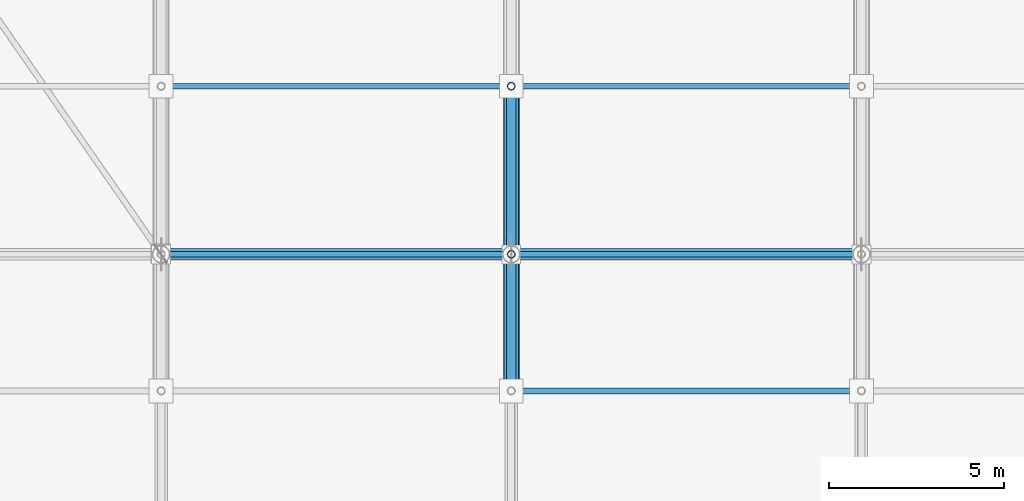
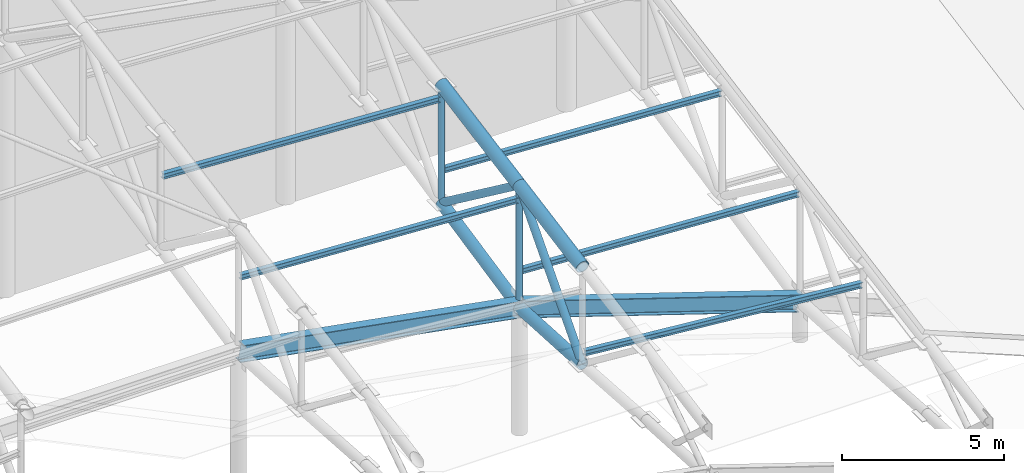
# One storey, part 58 of 146: 13 members, 2 beams.
"""IFC4 building model written with IfcOpenShell, lengths in metres."""

from ifc_helpers import new_model, si_unit, direction, frame, origin, origin_2d, place, context, subcontext, project, spatial, hollow_circle, i_section, extrude, material, material_profile, profile_set, type_object, element, save


model = new_model("IFC4")

# Units and contexts
model_context = context("Model", 3, precision=1e-05, world=origin(), true_north=direction((0.0, 1.0)))
body_context = subcontext(model_context, "Body", "Model", "MODEL_VIEW")
ifc_project = project(units=[si_unit("LENGTHUNIT", "METRE"), si_unit("AREAUNIT", "SQUARE_METRE"), si_unit("VOLUMEUNIT", "CUBIC_METRE"), si_unit("PLANEANGLEUNIT", "RADIAN"), si_unit("MASSUNIT", "GRAM", prefix="KILO")], contexts=[model_context])

# Site, building, storey
site_placement = place(None, origin())
site = spatial("IfcSite", under=ifc_project, at=site_placement, CompositionType="ELEMENT")
building_placement = place(site_placement, origin())
building = spatial("IfcBuilding", under=site, at=building_placement, Name="Candeia Ridge Stadium", CompositionType="ELEMENT")
storey_placement = place(building_placement, frame((0.0, 0.0, 31.800048828125)))
storey = spatial("IfcBuildingStorey", under=building, at=storey_placement, Name="RF", CompositionType="ELEMENT", Elevation=31.800048828125)

# Beams
ifc_material = material(Name="Steel ASTM A572 Grade 50", Category="steel")
ifc_material_profile_1 = material_profile(ifc_material, i_section(OverallWidth=0.324951171875, OverallDepth=0.615966796875, WebThickness=0.013916015625, FlangeThickness=0.021484375, FilletRadius=0.014892578125, at=origin_2d()), Name="W610x174", Category="steel")
ifc_profile_set_1 = profile_set([ifc_material_profile_1], Name="Steel ASTM A572 Grade 50")
beam_type = type_object("IfcBeamType", Name="Roof Compression Ring Beam W610x174", PredefinedType="BEAM", material=ifc_profile_set_1)
beam_1_placement = place(storey_placement, frame((130.9619140625, 132.60009765625, 1.427001953125), z_axis=(-0.950459193957, 0.0, 0.310849353583), x_axis=(0.0, -1.0, 0.0)))
element("IfcBeam", 1, at=beam_1_placement, inside=storey, type_object=beam_type, Name="Roof compression ring beam bay 02", PredefinedType="BEAM", context=body_context, shape_type="SweptSolid", body=[
    extrude(i_section(OverallWidth=0.324951171875, OverallDepth=0.615966796875, WebThickness=0.013916015625, FlangeThickness=0.021484375, FilletRadius=0.014892578125, at=origin_2d()), origin(), (0.0, 0.0, 1.0), 10.441162109375),
])
beam_2_placement = place(storey_placement, frame((120.960693359375, 132.60009765625, 4.6923828125), z_axis=(-0.983924099588, 0.0, 0.178587139095), x_axis=(0.0, -1.0, 0.0)))
element("IfcBeam", 2, at=beam_2_placement, inside=storey, type_object=beam_type, Name="Roof compression ring beam bay 03", PredefinedType="BEAM", context=body_context, shape_type="SweptSolid", body=[
    extrude(i_section(OverallWidth=0.324951171875, OverallDepth=0.615966796875, WebThickness=0.013916015625, FlangeThickness=0.021484375, FilletRadius=0.014892578125, at=origin_2d()), origin(), (0.0, 0.0, 1.0), 10.08349609375),
])

# Members
ifc_material_profile_2 = material_profile(ifc_material, i_section(OverallWidth=0.1650390625, OverallDepth=0.200927734375, WebThickness=0.006103515625, FlangeThickness=0.01025390625, FilletRadius=0.010009765625, at=origin_2d()), Name="W200x35.9", Category="steel")
ifc_profile_set_2 = profile_set([ifc_material_profile_2], Name="Steel ASTM A572 Grade 50")
member_type_1 = type_object("IfcMemberType", Name="Roof Purlin W200x35.9", PredefinedType="PURLIN", material=ifc_profile_set_2)
member_1_placement = place(storey_placement, frame((130.9501953125, 128.699951171875, 4.4375), z_axis=(-0.995975929729, 0.0, 0.08962113256), x_axis=(0.0, -1.0, 0.0)))
element("IfcMember", 3, at=member_1_placement, inside=storey, type_object=member_type_1, Name="Saddle roof steel purlin bay 02-1", PredefinedType="PURLIN", context=body_context, shape_type="SweptSolid", body=[
    extrude(i_section(OverallWidth=0.1650390625, OverallDepth=0.200927734375, WebThickness=0.006103515625, FlangeThickness=0.01025390625, FilletRadius=0.010009765625, at=origin_2d()), origin(), (0.0, 0.0, 1.0), 9.9404296875),
])
for number, where, z_axis, x_axis, name in (
    (4, (130.9501953125, 132.60009765625, 5.497314453125), (-0.998435557369, 0.0, 0.055914557871), (0.0, -1.0, 0.0), "Saddle roof steel purlin bay 02-2"),
    (5, (130.9501953125, 137.39990234375, 6.38525390625), (-0.998435557369, 0.0, 0.055914557871), (0.0, -1.0, 0.0), "Saddle roof steel purlin bay 02-3"),
):
    element("IfcMember", number, at=place(storey_placement, frame(where, z_axis=z_axis, x_axis=x_axis)), inside=storey, type_object=member_type_1, Name=name, PredefinedType="PURLIN", context=body_context, shape_type="SweptSolid", body=[
        extrude(i_section(OverallWidth=0.1650390625, OverallDepth=0.200927734375, WebThickness=0.006103515625, FlangeThickness=0.01025390625, FilletRadius=0.010009765625, at=origin_2d()), origin(), (0.0, 0.0, 1.0), 9.916015625),
    ])
member_2_placement = place(storey_placement, frame((120.9501953125, 132.60009765625, 8.76806640625), z_axis=(-0.998436931594, 0.0, 0.055890013679), x_axis=(0.0, -1.0, 0.0)))
element("IfcMember", 6, at=member_2_placement, inside=storey, type_object=member_type_1, Name="Saddle roof steel purlin bay 03-2", PredefinedType="PURLIN", context=body_context, shape_type="SweptSolid", body=[
    extrude(i_section(OverallWidth=0.1650390625, OverallDepth=0.200927734375, WebThickness=0.006103515625, FlangeThickness=0.01025390625, FilletRadius=0.010009765625, at=origin_2d()), origin(), (0.0, 0.0, 1.0), 9.915771484375),
])
member_3_placement = place(storey_placement, frame((120.9501953125, 137.39990234375, 9.656005859375), z_axis=(-0.998435557369, 0.0, 0.055914557871), x_axis=(0.0, -1.0, 0.0)))
element("IfcMember", 7, at=member_3_placement, inside=storey, type_object=member_type_1, Name="Saddle roof steel purlin bay 03-3", PredefinedType="PURLIN", context=body_context, shape_type="SweptSolid", body=[
    extrude(i_section(OverallWidth=0.1650390625, OverallDepth=0.200927734375, WebThickness=0.006103515625, FlangeThickness=0.01025390625, FilletRadius=0.010009765625, at=origin_2d()), origin(), (0.0, 0.0, 1.0), 9.916015625),
])
ifc_material_profile_3 = material_profile(ifc_material, hollow_circle(Radius=0.136474609375, WallThickness=0.010009765625, at=origin_2d()), Name="CHS273x10", Category="steel")
ifc_profile_set_3 = profile_set([ifc_material_profile_3], Name="Steel ASTM A572 Grade 50")
member_type_2 = type_object("IfcMemberType", Name="Roof Truss Heavy Web Brace CHS273x10", PredefinedType="BRACE", material=ifc_profile_set_3)
member_4_placement = place(storey_placement, frame((121.0, 128.699951171875, 4.905029296875), z_axis=(0.0, 0.665001791652, 0.746841761754), x_axis=(-1.0, 0.0, 0.0)))
element("IfcMember", 8, at=member_4_placement, inside=storey, type_object=member_type_2, Name="Roof cantilever truss RT-03 diagonal web 3", PredefinedType="BRACE", context=body_context, shape_type="SweptSolid", body=[
    extrude(hollow_circle(Radius=0.136474609375, WallThickness=0.010009765625, at=origin_2d()), origin(), (0.0, 0.0, 1.0), 5.86474609375),
])
member_5_placement = place(storey_placement, frame((121.0, 132.60009765625, 9.28515625), z_axis=(0.0, 0.801699676117, -0.597727052519), x_axis=(-1.0, 0.0, 0.0)))
element("IfcMember", 9, at=member_5_placement, inside=storey, type_object=member_type_2, Name="Roof cantilever truss RT-03 diagonal web 4", PredefinedType="BRACE", context=body_context, shape_type="SweptSolid", body=[
    extrude(hollow_circle(Radius=0.136474609375, WallThickness=0.010009765625, at=origin_2d()), origin(), (0.0, 0.0, 1.0), 5.987060546875),
])
ifc_material_profile_4 = material_profile(ifc_material, hollow_circle(Radius=0.109619140625, WallThickness=0.010009765625, at=origin_2d()), Name="CHS219x10", Category="steel")
ifc_profile_set_4 = profile_set([ifc_material_profile_4], Name="Steel ASTM A572 Grade 50")
member_type_3 = type_object("IfcMemberType", Name="Roof Truss Inner Web Brace CHS219x10", PredefinedType="BRACE", material=ifc_profile_set_4)
member_6_placement = place(storey_placement, frame((121.0, 132.60009765625, 4.68505859375), z_axis=(0.0, 0.0, 1.0), x_axis=(1.0, 0.0, 0.0)))
element("IfcMember", 10, at=member_6_placement, inside=storey, type_object=member_type_3, Name="Roof cantilever truss RT-03 vertical post 3", PredefinedType="BRACE", context=body_context, shape_type="SweptSolid", body=[
    extrude(hollow_circle(Radius=0.109619140625, WallThickness=0.010009765625, at=origin_2d()), origin(), (0.0, 0.0, 1.0), 4.60009765625),
])
member_7_placement = place(storey_placement, frame((121.0, 137.39990234375, 5.70654296875), z_axis=(0.0, 0.0, 1.0), x_axis=(1.0, 0.0, 0.0)))
element("IfcMember", 11, at=member_7_placement, inside=storey, type_object=member_type_3, Name="Roof cantilever truss RT-03 vertical post 4", PredefinedType="BRACE", context=body_context, shape_type="SweptSolid", body=[
    extrude(hollow_circle(Radius=0.109619140625, WallThickness=0.010009765625, at=origin_2d()), origin(), (0.0, 0.0, 1.0), 4.466552734375),
])
ifc_material_profile_5 = material_profile(ifc_material, hollow_circle(Radius=0.228515625, WallThickness=0.02001953125, at=origin_2d()), Name="CHS457x20", Category="steel")
ifc_profile_set_5 = profile_set([ifc_material_profile_5], Name="Steel ASTM A572 Grade 50")
member_type_4 = type_object("IfcMemberType", Name="Roof Truss Main Chord CHS457x20", PredefinedType="CHORD", material=ifc_profile_set_5)
member_8_placement = place(storey_placement, frame((121.0, 128.699951171875, 8.563720703125), z_axis=(0.0, 0.983318721205, 0.181890880824), x_axis=(-1.0, 0.0, 0.0)))
element("IfcMember", 12, at=member_8_placement, inside=storey, type_object=member_type_4, Name="Roof cantilever truss RT-03 top chord 3", PredefinedType="CHORD", context=body_context, shape_type="SweptSolid", body=[
    extrude(hollow_circle(Radius=0.228515625, WallThickness=0.02001953125, at=origin_2d()), origin(), (0.0, 0.0, 1.0), 3.96630859375),
])
member_9_placement = place(storey_placement, frame((121.0, 132.60009765625, 9.28515625), z_axis=(0.0, 0.983315487156, 0.181908363519), x_axis=(-1.0, 0.0, 0.0)))
element("IfcMember", 13, at=member_9_placement, inside=storey, type_object=member_type_4, Name="Roof cantilever truss RT-03 top chord 4", PredefinedType="CHORD", context=body_context, shape_type="SweptSolid", body=[
    extrude(hollow_circle(Radius=0.228515625, WallThickness=0.02001953125, at=origin_2d()), origin(), (0.0, 0.0, 1.0), 4.88134765625),
])
ifc_material_profile_6 = material_profile(ifc_material, hollow_circle(Radius=0.202880859375, WallThickness=0.01611328125, at=origin_2d()), Name="CHS406x16", Category="steel")
ifc_profile_set_6 = profile_set([ifc_material_profile_6], Name="Steel ASTM A572 Grade 50")
member_type_5 = type_object("IfcMemberType", Name="Roof Truss Outer Chord CHS406x16", PredefinedType="CHORD", material=ifc_profile_set_6)
member_10_placement = place(storey_placement, frame((121.0, 128.699951171875, 4.905029296875), z_axis=(0.0, 0.998413269272, -0.056311133372), x_axis=(-1.0, 0.0, 0.0)))
element("IfcMember", 14, at=member_10_placement, inside=storey, type_object=member_type_5, Name="Roof cantilever truss RT-03 bottom chord 3", PredefinedType="CHORD", context=body_context, shape_type="SweptSolid", body=[
    extrude(hollow_circle(Radius=0.202880859375, WallThickness=0.01611328125, at=origin_2d()), origin(), (0.0, 0.0, 1.0), 3.90625),
])
member_11_placement = place(storey_placement, frame((121.0, 132.60009765625, 4.68505859375), z_axis=(0.0, 0.978095585526, 0.208156252789), x_axis=(-1.0, 0.0, 0.0)))
element("IfcMember", 15, at=member_11_placement, inside=storey, type_object=member_type_5, Name="Roof cantilever truss RT-03 bottom chord 4", PredefinedType="CHORD", context=body_context, shape_type="SweptSolid", body=[
    extrude(hollow_circle(Radius=0.202880859375, WallThickness=0.01611328125, at=origin_2d()), origin(), (0.0, 0.0, 1.0), 4.9072265625),
])

save(model, "model.ifc")
